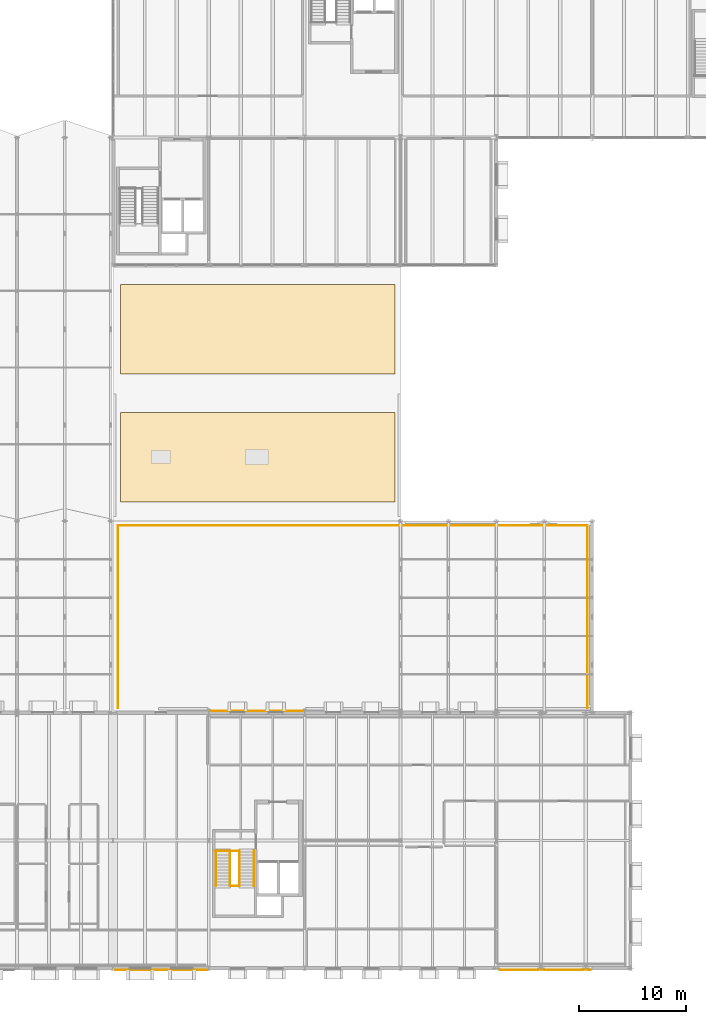
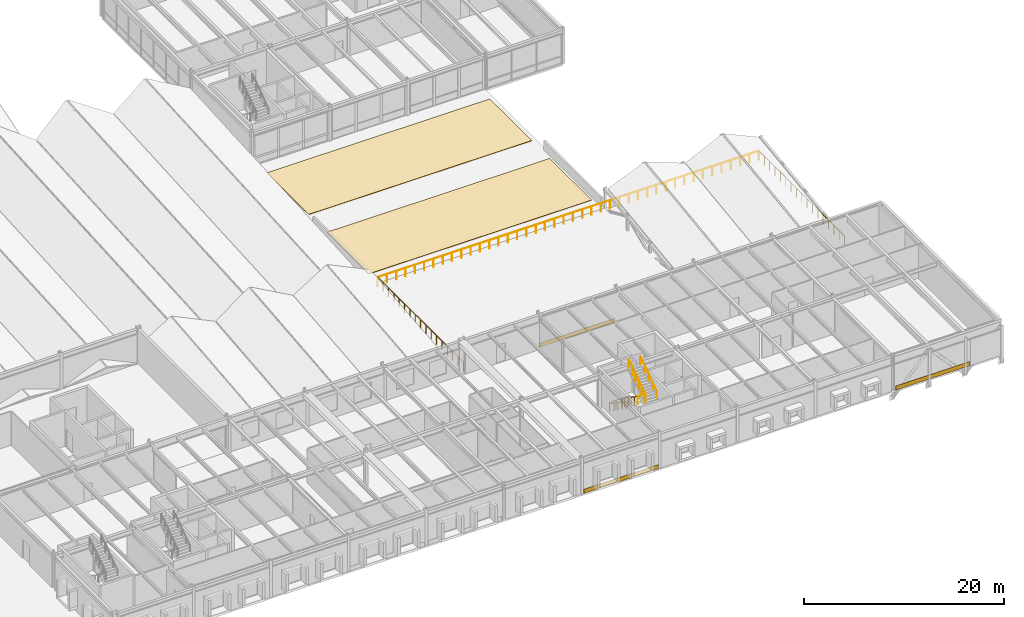
# One storey, part 140 of 142: 9 railings, 5 coverings.
"""IFC4 building model written with IfcOpenShell, lengths in metres."""

from ifc_helpers import new_model, si_unit, direction, frame, origin, origin_2d, place, context, subcontext, project, spatial, polyline, rectangle, circle, outline, extrude, material, layer, layer_set, type_object, element, save


model = new_model("IFC4")

# Units and contexts
model_context = context("Model", 3, precision=1e-05, world=origin(), true_north=direction((0.0, 1.0)))
body_context = subcontext(model_context, "Body", "Model", "MODEL_VIEW")
ifc_project = project(units=[si_unit("LENGTHUNIT", "METRE"), si_unit("AREAUNIT", "SQUARE_METRE"), si_unit("VOLUMEUNIT", "CUBIC_METRE"), si_unit("PLANEANGLEUNIT", "RADIAN"), si_unit("MASSUNIT", "GRAM", prefix="KILO")], contexts=[model_context])

# Site, building, storey
site_placement = place(None, origin())
site = spatial("IfcSite", under=ifc_project, at=site_placement, CompositionType="ELEMENT")
building_placement = place(site_placement, origin())
building = spatial("IfcBuilding", under=site, at=building_placement, Name="Montelvaro Courts of Justice", CompositionType="ELEMENT")
storey_placement = place(building_placement, frame((0.0, 0.0, 14.39990234375)))
storey = spatial("IfcBuildingStorey", under=building, at=storey_placement, Name="L03", CompositionType="ELEMENT", Elevation=14.39990234375)

# Coverings
ifc_material_1 = material(Name="White mineral precast concrete C45/55", Category="concrete")
ifc_layer_1 = layer(ifc_material_1, 0.0400390625)
ifc_layer_set_1 = layer_set([ifc_layer_1], Name="White mineral precast concrete C45/55")
covering_type_1 = type_object("IfcCoveringType", Name="BarCladding_GFRC", PredefinedType="CLADDING", material=ifc_layer_set_1)
covering_1_placement = place(storey_placement, frame((103.52490234375, -0.162109375, 0.030029296875), z_axis=(0.0, 0.0, 1.0), x_axis=(1.0, 0.0, 0.0)))
element("IfcCovering", 1, at=covering_1_placement, inside=storey, type_object=covering_type_1, Name="Horizontal White Bar Spandrel Cladding CL-01-019", PredefinedType="CLADDING", context=body_context, shape_type="SweptSolid", body=[
    extrude(rectangle(XDim=8.634033203125, YDim=0.0400390625, at=origin_2d()), origin(), (0.0, 0.0, 1.0), 0.5),
])
covering_2_placement = place(storey_placement, frame((139.5791015625, -0.162109375, 0.030029296875), z_axis=(0.0, 0.0, 1.0), x_axis=(1.0, 0.0, 0.0)))
element("IfcCovering", 2, at=covering_2_placement, inside=storey, type_object=covering_type_1, Name="Horizontal White Bar Spandrel Cladding CL-01-020", PredefinedType="CLADDING", context=body_context, shape_type="SweptSolid", body=[
    extrude(rectangle(XDim=8.56201171875, YDim=0.0400390625, at=origin_2d()), origin(), (0.0, 0.0, 1.0), 0.5),
])
covering_3_placement = place(storey_placement, frame((112.5, 24.162109375, 0.030029296875), z_axis=(0.0, 0.0, 1.0), x_axis=(-1.0, 0.0, 0.0)))
element("IfcCovering", 3, at=covering_3_placement, inside=storey, type_object=covering_type_1, Name="Horizontal White Bar Spandrel Cladding CL-01-021", PredefinedType="CLADDING", context=body_context, shape_type="SweptSolid", body=[
    extrude(rectangle(XDim=8.68408203125, YDim=0.0400390625, at=origin_2d()), origin(), (0.0, 0.0, 1.0), 0.5),
])

# Railings
ifc_material_2 = material(Name="Steel S355", Category="steel")
railing_type_1 = type_object("IfcRailingType", Name="InteriorGuard_1100", PredefinedType="BALUSTRADE", material=ifc_material_2)
railing_1_placement = place(storey_placement, frame((108.60009765625, 11.0, 0.0)))
element("IfcRailing", 4, at=railing_1_placement, inside=storey, type_object=railing_type_1, Name="Stair Well Guard GR-02 ST-K2-L02-TLG", PredefinedType="BALUSTRADE", context=body_context, shape_type="SweptSolid", body=[
    extrude(circle(Radius=0.02392578125, at=origin_2d()), frame((0.0, 0.0, 1.076171875), z_axis=(1.0, 0.0, 0.0), x_axis=(0.0, 1.0, 0.0)), (0.0, 0.0, 1.0), 2.289794921875),
    extrude(circle(Radius=0.02099609375, at=origin_2d()), origin(), (0.0, 0.0, 1.0), 1.052001953125),
    extrude(circle(Radius=0.02099609375, at=origin_2d()), frame((0.76318359375, 0.0, 0.0)), (0.0, 0.0, 1.0), 1.052001953125),
    extrude(circle(Radius=0.02099609375, at=origin_2d()), frame((1.526611328125, 0.0, 0.0)), (0.0, 0.0, 1.0), 1.052001953125),
    extrude(circle(Radius=0.02099609375, at=origin_2d()), frame((2.289794921875, 0.0, 0.0)), (0.0, 0.0, 1.0), 1.052001953125),
])
railing_2_placement = place(storey_placement, frame((110.010009765625, 11.0, 0.0)))
element("IfcRailing", 5, at=railing_2_placement, inside=storey, type_object=railing_type_1, Name="Stair Well Guard GR-02 ST-K2-L03-F1G", PredefinedType="BALUSTRADE", context=body_context, shape_type="SweptSolid", body=[
    extrude(circle(Radius=0.02392578125, at=origin_2d()), frame((0.0, 0.0, 1.076171875), z_axis=(0.0, -0.823407228882, 0.567450910146), x_axis=(1.0, 0.0, 0.0)), (0.0, 0.0, 1.0), 3.965087890625),
    extrude(circle(Radius=0.02099609375, at=origin_2d()), origin(), (0.0, 0.0, 1.0), 1.052001953125),
    extrude(circle(Radius=0.02099609375, at=origin_2d()), frame((0.0, -0.653076171875, 0.449951171875)), (0.0, 0.0, 1.0), 1.052001953125),
    extrude(circle(Radius=0.02099609375, at=origin_2d()), frame((0.0, -1.305908203125, 0.89990234375)), (0.0, 0.0, 1.0), 1.052001953125),
    extrude(circle(Radius=0.02099609375, at=origin_2d()), frame((0.0, -1.958984375, 1.35009765625)), (0.0, 0.0, 1.0), 1.052001953125),
    extrude(circle(Radius=0.02099609375, at=origin_2d()), frame((0.0, -2.61181640625, 1.800048828125)), (0.0, 0.0, 1.0), 1.052001953125),
    extrude(circle(Radius=0.02099609375, at=origin_2d()), frame((0.0, -3.264892578125, 2.25)), (0.0, 0.0, 1.0), 1.052001953125),
])
railing_3_placement = place(storey_placement, frame((110.889892578125, 7.735107421875, 2.25)))
element("IfcRailing", 6, at=railing_3_placement, inside=storey, type_object=railing_type_1, Name="Stair Well Guard GR-02 ST-K2-L03-F2G", PredefinedType="BALUSTRADE", context=body_context, shape_type="SweptSolid", body=[
    extrude(circle(Radius=0.02392578125, at=origin_2d()), frame((0.0, 0.0, 1.076171875), z_axis=(0.0, 0.823407228882, 0.567450910146), x_axis=(-1.0, 0.0, 0.0)), (0.0, 0.0, 1.0), 3.965087890625),
    extrude(circle(Radius=0.02099609375, at=origin_2d()), origin(), (0.0, 0.0, 1.0), 1.052001953125),
    extrude(circle(Radius=0.02099609375, at=origin_2d()), frame((0.0, 0.653076171875, 0.449951171875)), (0.0, 0.0, 1.0), 1.052001953125),
    extrude(circle(Radius=0.02099609375, at=origin_2d()), frame((0.0, 1.305908203125, 0.89990234375)), (0.0, 0.0, 1.0), 1.052001953125),
    extrude(circle(Radius=0.02099609375, at=origin_2d()), frame((0.0, 1.958984375, 1.35009765625)), (0.0, 0.0, 1.0), 1.052001953125),
    extrude(circle(Radius=0.02099609375, at=origin_2d()), frame((0.0, 2.61181640625, 1.800048828125)), (0.0, 0.0, 1.0), 1.052001953125),
    extrude(circle(Radius=0.02099609375, at=origin_2d()), frame((0.0, 3.264892578125, 2.25)), (0.0, 0.0, 1.0), 1.052001953125),
])
railing_4_placement = place(storey_placement, frame((110.010009765625, 7.735107421875, 2.25)))
element("IfcRailing", 7, at=railing_4_placement, inside=storey, type_object=railing_type_1, Name="Stair Well Guard GR-02 ST-K2-L03-MLG", PredefinedType="BALUSTRADE", context=body_context, shape_type="SweptSolid", body=[
    extrude(circle(Radius=0.02392578125, at=origin_2d()), frame((0.0, 0.0, 1.076171875), z_axis=(1.0, 0.0, 0.0), x_axis=(0.0, 1.0, 0.0)), (0.0, 0.0, 1.0), 0.8798828125),
    extrude(circle(Radius=0.02099609375, at=origin_2d()), origin(), (0.0, 0.0, 1.0), 1.052001953125),
    extrude(circle(Radius=0.02099609375, at=origin_2d()), frame((0.8798828125, 0.0, 0.0)), (0.0, 0.0, 1.0), 1.052001953125),
])
ifc_material_3 = material(Name="Austenitic stainless steel EN 1.4401", Category="steel")
railing_type_2 = type_object("IfcRailingType", Name="StairHandrail_950", PredefinedType="HANDRAIL", material=ifc_material_3)
railing_5_placement = place(storey_placement, frame((108.659912109375, 11.0, 0.0)))
element("IfcRailing", 8, at=railing_5_placement, inside=storey, type_object=railing_type_2, Name="Stair Pitch Handrail HR-01 ST-K2-L03-F1H", PredefinedType="HANDRAIL", context=body_context, shape_type="SweptSolid", body=[
    extrude(circle(Radius=0.02392578125, at=origin_2d()), frame((0.0, 0.0, 0.92578125), z_axis=(0.0, -0.823407228882, 0.567450910146), x_axis=(1.0, 0.0, 0.0)), (0.0, 0.0, 1.0), 3.965087890625),
    extrude(circle(Radius=0.02099609375, at=origin_2d()), origin(), (0.0, 0.0, 1.0), 0.90185546875),
    extrude(circle(Radius=0.02099609375, at=origin_2d()), frame((0.0, -0.816162109375, 0.5625)), (0.0, 0.0, 1.0), 0.90185546875),
    extrude(circle(Radius=0.02099609375, at=origin_2d()), frame((0.0, -1.63232421875, 1.125)), (0.0, 0.0, 1.0), 0.90185546875),
    extrude(circle(Radius=0.02099609375, at=origin_2d()), frame((0.0, -2.44873046875, 1.6875)), (0.0, 0.0, 1.0), 0.90185546875),
    extrude(circle(Radius=0.02099609375, at=origin_2d()), frame((0.0, -3.264892578125, 2.25)), (0.0, 0.0, 1.0), 0.90185546875),
])
railing_6_placement = place(storey_placement, frame((112.239990234375, 7.735107421875, 2.25)))
element("IfcRailing", 9, at=railing_6_placement, inside=storey, type_object=railing_type_2, Name="Stair Pitch Handrail HR-01 ST-K2-L03-F2H", PredefinedType="HANDRAIL", context=body_context, shape_type="SweptSolid", body=[
    extrude(circle(Radius=0.02392578125, at=origin_2d()), frame((0.0, 0.0, 0.92578125), z_axis=(0.0, 0.823407228882, 0.567450910146), x_axis=(-1.0, 0.0, 0.0)), (0.0, 0.0, 1.0), 3.965087890625),
    extrude(circle(Radius=0.02099609375, at=origin_2d()), origin(), (0.0, 0.0, 1.0), 0.90185546875),
    extrude(circle(Radius=0.02099609375, at=origin_2d()), frame((0.0, 0.816162109375, 0.5625)), (0.0, 0.0, 1.0), 0.90185546875),
    extrude(circle(Radius=0.02099609375, at=origin_2d()), frame((0.0, 1.63232421875, 1.125)), (0.0, 0.0, 1.0), 0.90185546875),
    extrude(circle(Radius=0.02099609375, at=origin_2d()), frame((0.0, 2.44873046875, 1.6875)), (0.0, 0.0, 1.0), 0.90185546875),
    extrude(circle(Radius=0.02099609375, at=origin_2d()), frame((0.0, 3.264892578125, 2.25)), (0.0, 0.0, 1.0), 0.90185546875),
])

# Coverings
ifc_material_4 = material(Name="Standing seam zinc roofing", Category="steel")
ifc_layer_2 = layer(ifc_material_4, 0.050048828125)
ifc_layer_set_2 = layer_set([ifc_layer_2], Name="Standing seam zinc roofing")
covering_type_2 = type_object("IfcCoveringType", Name="StandingSeamRoofing", PredefinedType="ROOFING", material=ifc_layer_set_2)
covering_4_placement = place(storey_placement, origin())
element("IfcCovering", 10, at=covering_4_placement, inside=storey, type_object=covering_type_2, Name="Roof Standing Seam Covering RCV-01 SLB-L03-V4EROOF-1", PredefinedType="ROOFING", context=body_context, shape_type="SweptSolid", body=[
    extrude(outline(polyline([(99.699951171875, 43.800048828125), (125.5, 43.800048828125), (125.5, 52.199951171875), (99.699951171875, 52.199951171875), (99.699951171875, 43.800048828125)])), origin(), (0.0, 0.0, 1.0), 0.050048828125),
])
covering_5_placement = place(storey_placement, origin())
element("IfcCovering", 11, at=covering_5_placement, inside=storey, type_object=covering_type_2, Name="Roof Standing Seam Covering RCV-01 SLB-L03-V4EROOF-2", PredefinedType="ROOFING", context=body_context, shape_type="SweptSolid", body=[
    extrude(outline(polyline([(99.699951171875, 55.800048828125), (125.5, 55.800048828125), (125.5, 64.199951171875), (99.699951171875, 64.199951171875), (99.699951171875, 55.800048828125)])), origin(), (0.0, 0.0, 1.0), 0.050048828125),
])

# Railings
railing_type_3 = type_object("IfcRailingType", Name="TerraceGuard_1100", PredefinedType="BALUSTRADE", material=ifc_material_2)
railing_7_placement = place(storey_placement, frame((143.580078125, 24.419921875, 0.0)))
element("IfcRailing", 12, at=railing_7_placement, inside=storey, type_object=railing_type_3, Name="Terrace Balustrade Guard GR-01 (L03)", PredefinedType="BALUSTRADE", context=body_context, shape_type="SweptSolid", body=[
    extrude(circle(Radius=0.02392578125, at=origin_2d()), frame((0.0, 0.0, 1.076171875), z_axis=(0.0, 1.0, 0.0), x_axis=(-1.0, 0.0, 0.0)), (0.0, 0.0, 1.0), 17.16015625),
    extrude(circle(Radius=0.02099609375, at=origin_2d()), origin(), (0.0, 0.0, 1.0), 1.052001953125),
    extrude(circle(Radius=0.02099609375, at=origin_2d()), frame((0.0, 1.072509765625, 0.0)), (0.0, 0.0, 1.0), 1.052001953125),
    extrude(circle(Radius=0.02099609375, at=origin_2d()), frame((0.0, 2.14501953125, 0.0)), (0.0, 0.0, 1.0), 1.052001953125),
    extrude(circle(Radius=0.02099609375, at=origin_2d()), frame((0.0, 3.217529296875, 0.0)), (0.0, 0.0, 1.0), 1.052001953125),
    extrude(circle(Radius=0.02099609375, at=origin_2d()), frame((0.0, 4.2900390625, 0.0)), (0.0, 0.0, 1.0), 1.052001953125),
    extrude(circle(Radius=0.02099609375, at=origin_2d()), frame((0.0, 5.362548828125, 0.0)), (0.0, 0.0, 1.0), 1.052001953125),
    extrude(circle(Radius=0.02099609375, at=origin_2d()), frame((0.0, 6.43505859375, 0.0)), (0.0, 0.0, 1.0), 1.052001953125),
    extrude(circle(Radius=0.02099609375, at=origin_2d()), frame((0.0, 7.507568359375, 0.0)), (0.0, 0.0, 1.0), 1.052001953125),
    extrude(circle(Radius=0.02099609375, at=origin_2d()), frame((0.0, 8.580078125, 0.0)), (0.0, 0.0, 1.0), 1.052001953125),
    extrude(circle(Radius=0.02099609375, at=origin_2d()), frame((0.0, 9.652587890625, 0.0)), (0.0, 0.0, 1.0), 1.052001953125),
    extrude(circle(Radius=0.02099609375, at=origin_2d()), frame((0.0, 10.72509765625, 0.0)), (0.0, 0.0, 1.0), 1.052001953125),
    extrude(circle(Radius=0.02099609375, at=origin_2d()), frame((0.0, 11.797607421875, 0.0)), (0.0, 0.0, 1.0), 1.052001953125),
    extrude(circle(Radius=0.02099609375, at=origin_2d()), frame((0.0, 12.8701171875, 0.0)), (0.0, 0.0, 1.0), 1.052001953125),
    extrude(circle(Radius=0.02099609375, at=origin_2d()), frame((0.0, 13.942626953125, 0.0)), (0.0, 0.0, 1.0), 1.052001953125),
    extrude(circle(Radius=0.02099609375, at=origin_2d()), frame((0.0, 15.01513671875, 0.0)), (0.0, 0.0, 1.0), 1.052001953125),
    extrude(circle(Radius=0.02099609375, at=origin_2d()), frame((0.0, 16.087646484375, 0.0)), (0.0, 0.0, 1.0), 1.052001953125),
    extrude(circle(Radius=0.02099609375, at=origin_2d()), frame((0.0, 17.16015625, 0.0)), (0.0, 0.0, 1.0), 1.052001953125),
])
railing_8_placement = place(storey_placement, frame((143.580078125, 41.580078125, 0.0)))
element("IfcRailing", 13, at=railing_8_placement, inside=storey, type_object=railing_type_3, Name="Terrace Balustrade Guard GR-01 (L03)", PredefinedType="BALUSTRADE", context=body_context, shape_type="SweptSolid", body=[
    extrude(circle(Radius=0.02392578125, at=origin_2d()), frame((0.0, 0.0, 1.076171875), z_axis=(-1.0, 0.0, 0.0), x_axis=(0.0, -1.0, 0.0)), (0.0, 0.0, 1.0), 44.110107421875),
    extrude(circle(Radius=0.02099609375, at=origin_2d()), origin(), (0.0, 0.0, 1.0), 1.052001953125),
    extrude(circle(Radius=0.02099609375, at=origin_2d()), frame((-1.075927734375, 0.0, 0.0)), (0.0, 0.0, 1.0), 1.052001953125),
    extrude(circle(Radius=0.02099609375, at=origin_2d()), frame((-2.151611328125, 0.0, 0.0)), (0.0, 0.0, 1.0), 1.052001953125),
    extrude(circle(Radius=0.02099609375, at=origin_2d()), frame((-3.2275390625, 0.0, 0.0)), (0.0, 0.0, 1.0), 1.052001953125),
    extrude(circle(Radius=0.02099609375, at=origin_2d()), frame((-4.303466796875, 0.0, 0.0)), (0.0, 0.0, 1.0), 1.052001953125),
    extrude(circle(Radius=0.02099609375, at=origin_2d()), frame((-5.37939453125, 0.0, 0.0)), (0.0, 0.0, 1.0), 1.052001953125),
    extrude(circle(Radius=0.02099609375, at=origin_2d()), frame((-6.455078125, 0.0, 0.0)), (0.0, 0.0, 1.0), 1.052001953125),
    extrude(circle(Radius=0.02099609375, at=origin_2d()), frame((-7.531005859375, 0.0, 0.0)), (0.0, 0.0, 1.0), 1.052001953125),
    extrude(circle(Radius=0.02099609375, at=origin_2d()), frame((-8.60693359375, 0.0, 0.0)), (0.0, 0.0, 1.0), 1.052001953125),
    extrude(circle(Radius=0.02099609375, at=origin_2d()), frame((-9.6826171875, 0.0, 0.0)), (0.0, 0.0, 1.0), 1.052001953125),
    extrude(circle(Radius=0.02099609375, at=origin_2d()), frame((-10.758544921875, 0.0, 0.0)), (0.0, 0.0, 1.0), 1.052001953125),
    extrude(circle(Radius=0.02099609375, at=origin_2d()), frame((-11.83447265625, 0.0, 0.0)), (0.0, 0.0, 1.0), 1.052001953125),
    extrude(circle(Radius=0.02099609375, at=origin_2d()), frame((-12.91015625, 0.0, 0.0)), (0.0, 0.0, 1.0), 1.052001953125),
    extrude(circle(Radius=0.02099609375, at=origin_2d()), frame((-13.986083984375, 0.0, 0.0)), (0.0, 0.0, 1.0), 1.052001953125),
    extrude(circle(Radius=0.02099609375, at=origin_2d()), frame((-15.06201171875, 0.0, 0.0)), (0.0, 0.0, 1.0), 1.052001953125),
    extrude(circle(Radius=0.02099609375, at=origin_2d()), frame((-16.137939453125, 0.0, 0.0)), (0.0, 0.0, 1.0), 1.052001953125),
    extrude(circle(Radius=0.02099609375, at=origin_2d()), frame((-17.213623046875, 0.0, 0.0)), (0.0, 0.0, 1.0), 1.052001953125),
    extrude(circle(Radius=0.02099609375, at=origin_2d()), frame((-18.28955078125, 0.0, 0.0)), (0.0, 0.0, 1.0), 1.052001953125),
    extrude(circle(Radius=0.02099609375, at=origin_2d()), frame((-19.365478515625, 0.0, 0.0)), (0.0, 0.0, 1.0), 1.052001953125),
    extrude(circle(Radius=0.02099609375, at=origin_2d()), frame((-20.441162109375, 0.0, 0.0)), (0.0, 0.0, 1.0), 1.052001953125),
    extrude(circle(Radius=0.02099609375, at=origin_2d()), frame((-21.51708984375, 0.0, 0.0)), (0.0, 0.0, 1.0), 1.052001953125),
    extrude(circle(Radius=0.02099609375, at=origin_2d()), frame((-22.593017578125, 0.0, 0.0)), (0.0, 0.0, 1.0), 1.052001953125),
    extrude(circle(Radius=0.02099609375, at=origin_2d()), frame((-23.6689453125, 0.0, 0.0)), (0.0, 0.0, 1.0), 1.052001953125),
    extrude(circle(Radius=0.02099609375, at=origin_2d()), frame((-24.74462890625, 0.0, 0.0)), (0.0, 0.0, 1.0), 1.052001953125),
    extrude(circle(Radius=0.02099609375, at=origin_2d()), frame((-25.820556640625, 0.0, 0.0)), (0.0, 0.0, 1.0), 1.052001953125),
    extrude(circle(Radius=0.02099609375, at=origin_2d()), frame((-26.896484375, 0.0, 0.0)), (0.0, 0.0, 1.0), 1.052001953125),
    extrude(circle(Radius=0.02099609375, at=origin_2d()), frame((-27.97216796875, 0.0, 0.0)), (0.0, 0.0, 1.0), 1.052001953125),
    extrude(circle(Radius=0.02099609375, at=origin_2d()), frame((-29.048095703125, 0.0, 0.0)), (0.0, 0.0, 1.0), 1.052001953125),
    extrude(circle(Radius=0.02099609375, at=origin_2d()), frame((-30.1240234375, 0.0, 0.0)), (0.0, 0.0, 1.0), 1.052001953125),
    extrude(circle(Radius=0.02099609375, at=origin_2d()), frame((-31.199951171875, 0.0, 0.0)), (0.0, 0.0, 1.0), 1.052001953125),
    extrude(circle(Radius=0.02099609375, at=origin_2d()), frame((-32.275634765625, 0.0, 0.0)), (0.0, 0.0, 1.0), 1.052001953125),
    extrude(circle(Radius=0.02099609375, at=origin_2d()), frame((-33.3515625, 0.0, 0.0)), (0.0, 0.0, 1.0), 1.052001953125),
    extrude(circle(Radius=0.02099609375, at=origin_2d()), frame((-34.427490234375, 0.0, 0.0)), (0.0, 0.0, 1.0), 1.052001953125),
    extrude(circle(Radius=0.02099609375, at=origin_2d()), frame((-35.503173828125, 0.0, 0.0)), (0.0, 0.0, 1.0), 1.052001953125),
    extrude(circle(Radius=0.02099609375, at=origin_2d()), frame((-36.5791015625, 0.0, 0.0)), (0.0, 0.0, 1.0), 1.052001953125),
    extrude(circle(Radius=0.02099609375, at=origin_2d()), frame((-37.655029296875, 0.0, 0.0)), (0.0, 0.0, 1.0), 1.052001953125),
    extrude(circle(Radius=0.02099609375, at=origin_2d()), frame((-38.730712890625, 0.0, 0.0)), (0.0, 0.0, 1.0), 1.052001953125),
    extrude(circle(Radius=0.02099609375, at=origin_2d()), frame((-39.806640625, 0.0, 0.0)), (0.0, 0.0, 1.0), 1.052001953125),
    extrude(circle(Radius=0.02099609375, at=origin_2d()), frame((-40.882568359375, 0.0, 0.0)), (0.0, 0.0, 1.0), 1.052001953125),
    extrude(circle(Radius=0.02099609375, at=origin_2d()), frame((-41.95849609375, 0.0, 0.0)), (0.0, 0.0, 1.0), 1.052001953125),
    extrude(circle(Radius=0.02099609375, at=origin_2d()), frame((-43.0341796875, 0.0, 0.0)), (0.0, 0.0, 1.0), 1.052001953125),
    extrude(circle(Radius=0.02099609375, at=origin_2d()), frame((-44.110107421875, 0.0, 0.0)), (0.0, 0.0, 1.0), 1.052001953125),
])
railing_9_placement = place(storey_placement, frame((99.469970703125, 41.580078125, 0.0)))
element("IfcRailing", 14, at=railing_9_placement, inside=storey, type_object=railing_type_3, Name="Terrace Balustrade Guard GR-01 (L03)", PredefinedType="BALUSTRADE", context=body_context, shape_type="SweptSolid", body=[
    extrude(circle(Radius=0.02392578125, at=origin_2d()), frame((0.0, 0.0, 1.076171875), z_axis=(0.0, -1.0, 0.0), x_axis=(1.0, 0.0, 0.0)), (0.0, 0.0, 1.0), 17.16015625),
    extrude(circle(Radius=0.02099609375, at=origin_2d()), origin(), (0.0, 0.0, 1.0), 1.052001953125),
    extrude(circle(Radius=0.02099609375, at=origin_2d()), frame((0.0, -1.072509765625, 0.0)), (0.0, 0.0, 1.0), 1.052001953125),
    extrude(circle(Radius=0.02099609375, at=origin_2d()), frame((0.0, -2.14501953125, 0.0)), (0.0, 0.0, 1.0), 1.052001953125),
    extrude(circle(Radius=0.02099609375, at=origin_2d()), frame((0.0, -3.217529296875, 0.0)), (0.0, 0.0, 1.0), 1.052001953125),
    extrude(circle(Radius=0.02099609375, at=origin_2d()), frame((0.0, -4.2900390625, 0.0)), (0.0, 0.0, 1.0), 1.052001953125),
    extrude(circle(Radius=0.02099609375, at=origin_2d()), frame((0.0, -5.362548828125, 0.0)), (0.0, 0.0, 1.0), 1.052001953125),
    extrude(circle(Radius=0.02099609375, at=origin_2d()), frame((0.0, -6.43505859375, 0.0)), (0.0, 0.0, 1.0), 1.052001953125),
    extrude(circle(Radius=0.02099609375, at=origin_2d()), frame((0.0, -7.507568359375, 0.0)), (0.0, 0.0, 1.0), 1.052001953125),
    extrude(circle(Radius=0.02099609375, at=origin_2d()), frame((0.0, -8.580078125, 0.0)), (0.0, 0.0, 1.0), 1.052001953125),
    extrude(circle(Radius=0.02099609375, at=origin_2d()), frame((0.0, -9.652587890625, 0.0)), (0.0, 0.0, 1.0), 1.052001953125),
    extrude(circle(Radius=0.02099609375, at=origin_2d()), frame((0.0, -10.72509765625, 0.0)), (0.0, 0.0, 1.0), 1.052001953125),
    extrude(circle(Radius=0.02099609375, at=origin_2d()), frame((0.0, -11.797607421875, 0.0)), (0.0, 0.0, 1.0), 1.052001953125),
    extrude(circle(Radius=0.02099609375, at=origin_2d()), frame((0.0, -12.8701171875, 0.0)), (0.0, 0.0, 1.0), 1.052001953125),
    extrude(circle(Radius=0.02099609375, at=origin_2d()), frame((0.0, -13.942626953125, 0.0)), (0.0, 0.0, 1.0), 1.052001953125),
    extrude(circle(Radius=0.02099609375, at=origin_2d()), frame((0.0, -15.01513671875, 0.0)), (0.0, 0.0, 1.0), 1.052001953125),
    extrude(circle(Radius=0.02099609375, at=origin_2d()), frame((0.0, -16.087646484375, 0.0)), (0.0, 0.0, 1.0), 1.052001953125),
    extrude(circle(Radius=0.02099609375, at=origin_2d()), frame((0.0, -17.16015625, 0.0)), (0.0, 0.0, 1.0), 1.052001953125),
])

save(model, "model.ifc")
